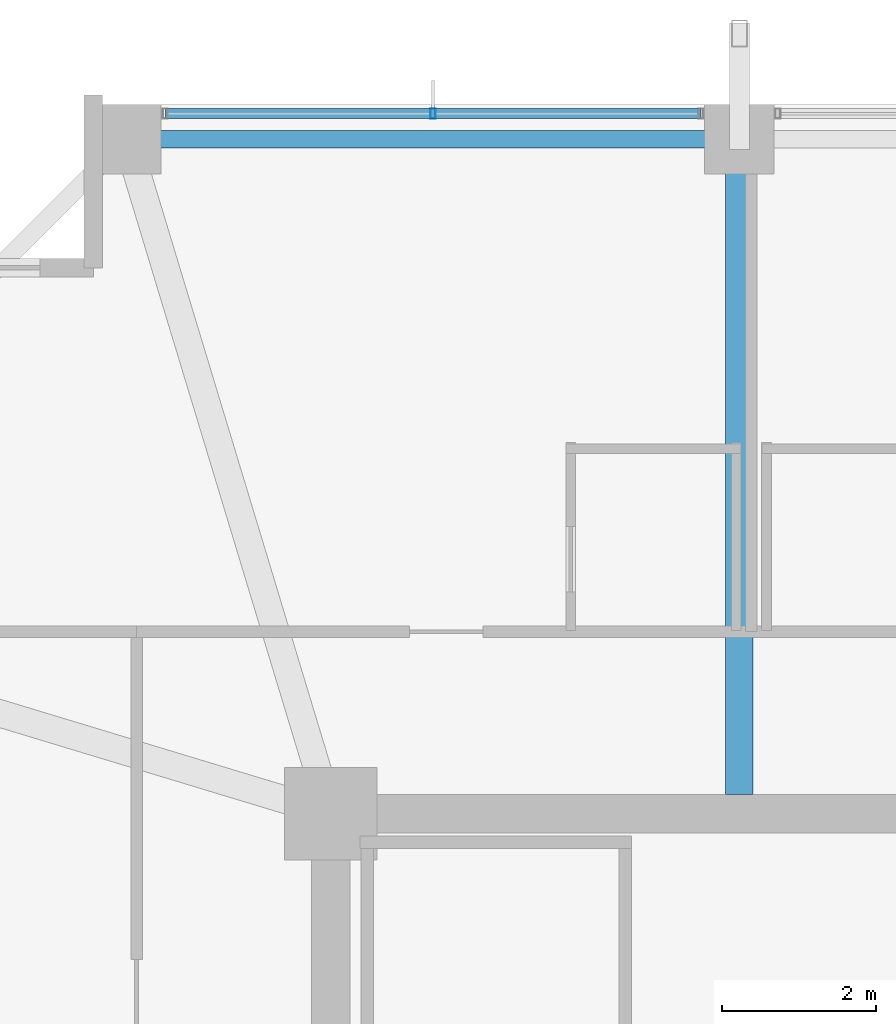
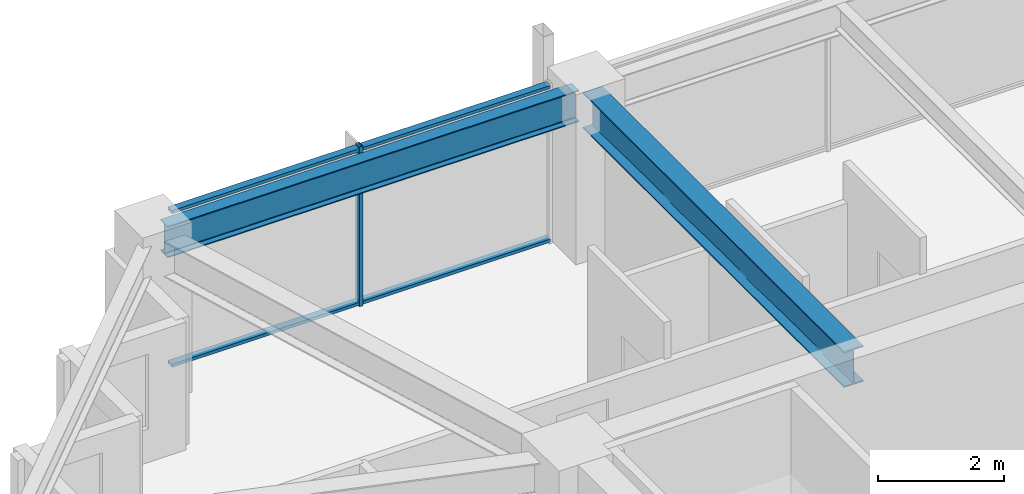
# One storey, part 20 of 35: 3 members, 2 beams, 1 element without a shape of its own.
"""IFC4 building model written with IfcOpenShell, lengths in metres."""

from ifc_helpers import new_model, si_unit, direction, frame, origin, origin_2d, place, context, subcontext, project, spatial, hollow_rectangle, i_section, extrude, material, material_profile, profile_set, type_object, element, aggregate, save


model = new_model("IFC4")

# Units and contexts
model_context = context("Model", 3, precision=1e-05, world=origin(), true_north=direction((0.0, 1.0)))
body_context = subcontext(model_context, "Body", "Model", "MODEL_VIEW")
ifc_project = project(units=[si_unit("LENGTHUNIT", "METRE"), si_unit("AREAUNIT", "SQUARE_METRE"), si_unit("VOLUMEUNIT", "CUBIC_METRE"), si_unit("PLANEANGLEUNIT", "RADIAN"), si_unit("MASSUNIT", "GRAM", prefix="KILO")], contexts=[model_context])

# Site, building, storey
site_placement = place(None, origin())
site = spatial("IfcSite", under=ifc_project, at=site_placement, CompositionType="ELEMENT")
building_placement = place(site_placement, origin())
building = spatial("IfcBuilding", under=site, at=building_placement, Name="Kolvaren Belvedere", CompositionType="ELEMENT")
storey_placement = place(building_placement, frame((0.0, 0.0, 163.5)))
storey = spatial("IfcBuildingStorey", under=building, at=storey_placement, Name="L47", CompositionType="ELEMENT", Elevation=163.5)

# Beams
ifc_material_1 = material(Name="Structural steel ASTM A992 Grade 50", Category="steel")
ifc_material_profile_1 = material_profile(ifc_material_1, i_section(OverallWidth=0.35498046875, OverallDepth=0.696044921875, WebThickness=0.015380859375, FlangeThickness=0.02490234375, FilletRadius=0.02197265625, at=origin_2d()), Name="W27X146")
ifc_profile_set_1 = profile_set([ifc_material_profile_1], Name="Structural steel ASTM A992 Grade 50")
beam_type_1 = type_object("IfcBeamType", Name="BM-GIRD-W27X146", PredefinedType="BEAM", material=ifc_profile_set_1)
beam_1_placement = place(storey_placement, frame((-4.60009765625, 10.14990234375, 2.751953125), z_axis=(0.0, 1.0, 0.0), x_axis=(-1.0, 0.0, 0.0)))
element("IfcBeam", 1, at=beam_1_placement, inside=storey, type_object=beam_type_1, Name="L47 North Radial Girder M", PredefinedType="BEAM", context=body_context, shape_type="SweptSolid", body=[
    extrude(i_section(OverallWidth=0.35498046875, OverallDepth=0.696044921875, WebThickness=0.015380859375, FlangeThickness=0.02490234375, FilletRadius=0.02197265625, at=origin_2d()), origin(), (0.0, 0.0, 1.0), 8.297607421875),
])
ifc_material_2 = material(Name="Structural steel ASTM A992 Grade 50", Category="steel")
ifc_material_profile_2 = material_profile(ifc_material_2, i_section(OverallWidth=0.22900390625, OverallDepth=0.612060546875, WebThickness=0.011962890625, FlangeThickness=0.01953125, FilletRadius=0.01806640625, at=origin_2d()), Name="W24X84")
ifc_profile_set_2 = profile_set([ifc_material_profile_2], Name="Structural steel ASTM A992 Grade 50")
beam_type_2 = type_object("IfcBeamType", Name="BM-SPAN-W24X84", PredefinedType="SPANDREL", material=ifc_profile_set_2)
beam_2_placement = place(storey_placement, frame((-4.802490234375, 18.64990234375, 2.7939453125), z_axis=(-1.0, 0.0, 0.0), x_axis=(0.0, -1.0, 0.0)))
element("IfcBeam", 2, at=beam_2_placement, inside=storey, type_object=beam_type_2, Name="L47 Perimeter Spandrel N2-N1", PredefinedType="SPANDREL", context=body_context, shape_type="SweptSolid", body=[
    extrude(i_section(OverallWidth=0.22900390625, OverallDepth=0.612060546875, WebThickness=0.011962890625, FlangeThickness=0.01953125, FilletRadius=0.01806640625, at=origin_2d()), origin(), (0.0, 0.0, 1.0), 7.544921875),
])

# Curtain wall, members
ifc_material_3 = material(Name="Anodised pale-metal aluminium AA 6063-T6", Category="aluminium")
curtain_wall_type = type_object("IfcCurtainWallType", Name="CW-Z3-WAIST", PredefinedType="NOTDEFINED", material=ifc_material_3)
curtain_wall_placement = place(storey_placement, origin())
curtain_wall = element("IfcCurtainWall", 3, at=curtain_wall_placement, inside=storey, type_object=curtain_wall_type, Name="L47 Unitised Curtain Wall FCW-L47-N-B1", PredefinedType="NOTDEFINED")
ifc_material_4 = material(Name="Anodised pale-metal aluminium AA 6063-T6", Category="aluminium")
ifc_material_profile_3 = material_profile(ifc_material_4, hollow_rectangle(XDim=0.06494140625, YDim=0.1298828125, WallThickness=0.00390625, at=origin_2d()), Name="ALU-MUL-130X65")
ifc_profile_set_3 = profile_set([ifc_material_profile_3], Name="Anodised pale-metal aluminium AA 6063-T6")
member_type_1 = type_object("IfcMemberType", Name="CW-MUL-130", PredefinedType="MULLION", material=ifc_profile_set_3)
member_1_placement = place(storey_placement, frame((-8.574951171875, 18.97998046875, 0.0), z_axis=(0.0, 0.0, 1.0), x_axis=(1.0, 0.0, 0.0)))
member_1 = element("IfcMember", 4, at=member_1_placement, type_object=member_type_1, Name="FCW-L47-N-B1 Unitised Mullion 2", PredefinedType="MULLION", context=body_context, shape_type="SweptSolid", body=[
    extrude(hollow_rectangle(XDim=0.06494140625, YDim=0.1298828125, WallThickness=0.00390625, at=origin_2d()), origin(), (0.0, 0.0, 1.0), 3.10009765625),
])
ifc_material_5 = material(Name="Anodised pale-metal aluminium AA 6063-T6", Category="aluminium")
ifc_material_profile_4 = material_profile(ifc_material_5, hollow_rectangle(XDim=0.06005859375, YDim=0.1298828125, WallThickness=0.00390625, at=origin_2d()), Name="ALU-TRN-130X60")
ifc_profile_set_4 = profile_set([ifc_material_profile_4], Name="Anodised pale-metal aluminium AA 6063-T6")
member_type_2 = type_object("IfcMemberType", Name="CW-TRN-130", PredefinedType="USERDEFINED", material=ifc_profile_set_4)
member_2_placement = place(storey_placement, frame((-12.047607421875, 18.97998046875, 0.06005859375), z_axis=(1.0, 0.0, 0.0), x_axis=(0.0, 0.0, 1.0)))
member_2 = element("IfcMember", 5, at=member_2_placement, type_object=member_type_2, Name="FCW-L47-N-B1 Sill Transom", ObjectType="TRANSOM", PredefinedType="USERDEFINED", context=body_context, shape_type="SweptSolid", body=[
    extrude(hollow_rectangle(XDim=0.06005859375, YDim=0.1298828125, WallThickness=0.00390625, at=origin_2d()), origin(), (0.0, 0.0, 1.0), 6.945068359375),
])
member_3_placement = place(storey_placement, frame((-12.047607421875, 18.97998046875, 3.0400390625), z_axis=(1.0, 0.0, 0.0), x_axis=(0.0, 0.0, 1.0)))
member_3 = element("IfcMember", 6, at=member_3_placement, type_object=member_type_2, Name="FCW-L47-N-B1 Head Transom", ObjectType="TRANSOM", PredefinedType="USERDEFINED", context=body_context, shape_type="SweptSolid", body=[
    extrude(hollow_rectangle(XDim=0.06005859375, YDim=0.1298828125, WallThickness=0.00390625, at=origin_2d()), origin(), (0.0, 0.0, 1.0), 6.945068359375),
])
aggregate(curtain_wall, [member_1, member_2, member_3])

save(model, "model.ifc")
